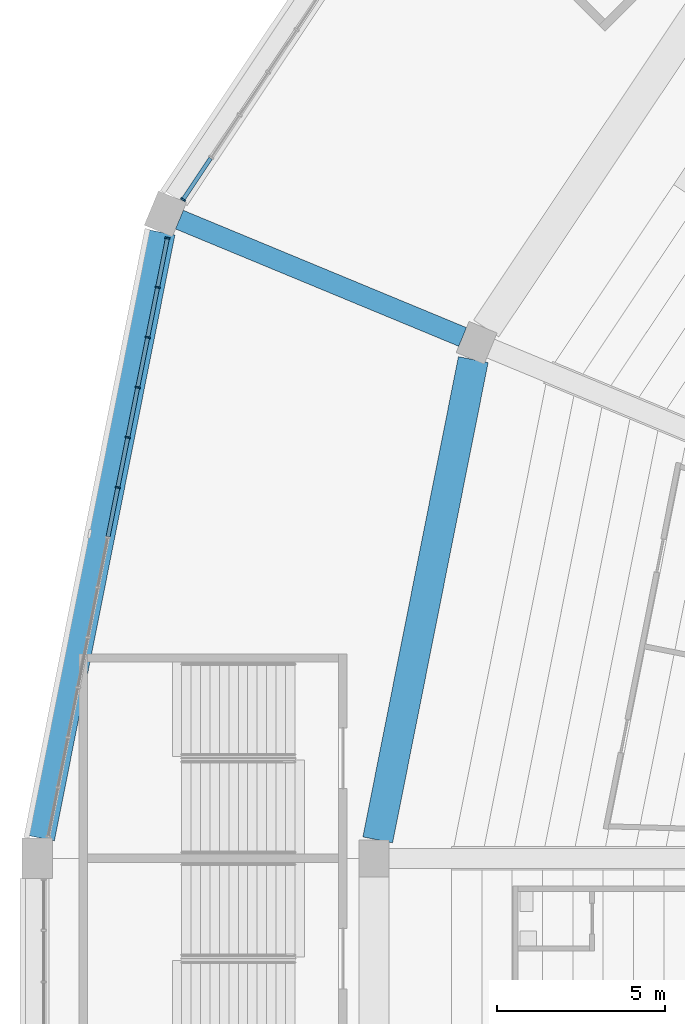
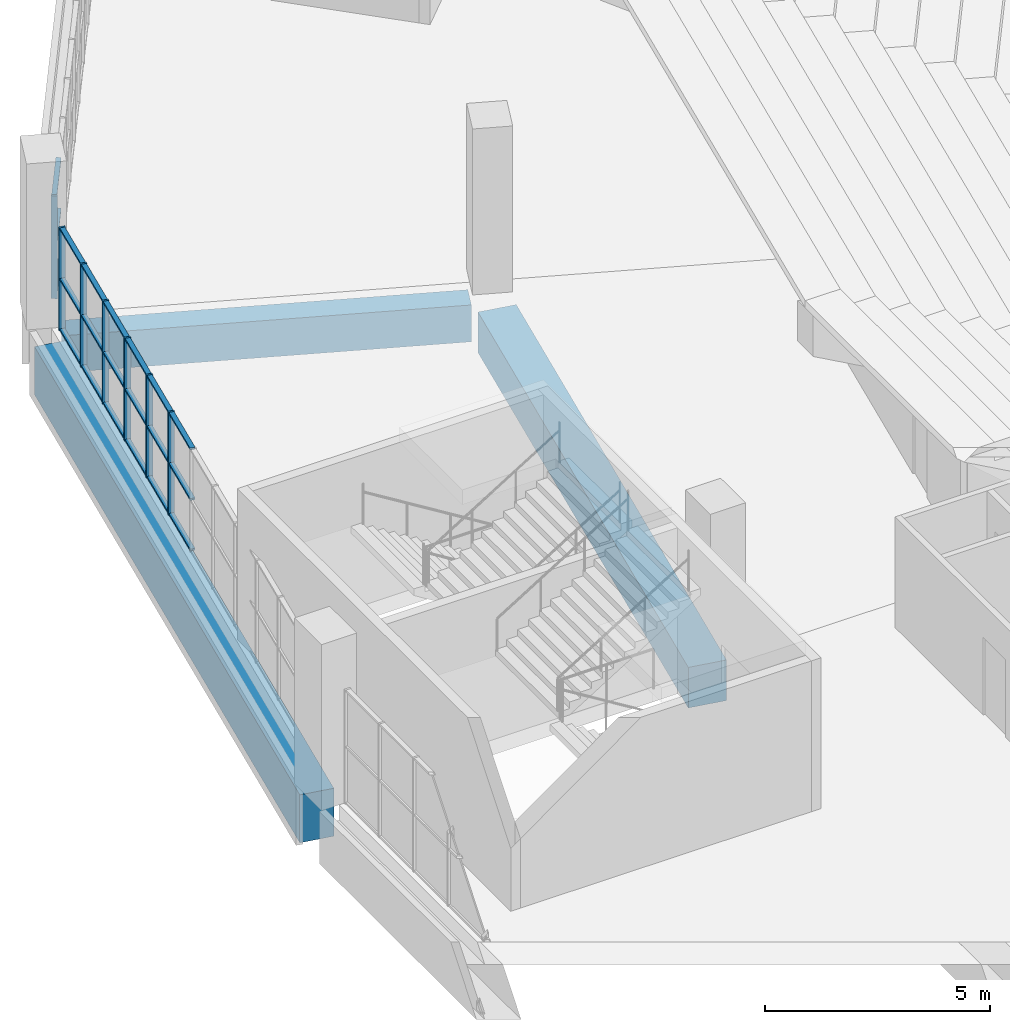
# One storey, part 43 of 249: 28 members, 3 beams, 2 elements without a shape of their own.
"""IFC4 building model written with IfcOpenShell, lengths in metres."""

from ifc_helpers import new_model, si_unit, direction, frame, origin, origin_2d, place, context, subcontext, project, spatial, rectangle, extrude, material, material_profile, profile_set, type_object, element, aggregate, save


model = new_model("IFC4")

# Units and contexts
model_context = context("Model", 3, precision=1e-05, world=origin(), true_north=direction((0.0, 1.0)))
body_context = subcontext(model_context, "Body", "Model", "MODEL_VIEW")
ifc_project = project(units=[si_unit("LENGTHUNIT", "METRE"), si_unit("AREAUNIT", "SQUARE_METRE"), si_unit("VOLUMEUNIT", "CUBIC_METRE"), si_unit("PLANEANGLEUNIT", "RADIAN"), si_unit("MASSUNIT", "GRAM", prefix="KILO")], contexts=[model_context])

# Site, building, storey
site_placement = place(None, origin())
site = spatial("IfcSite", under=ifc_project, at=site_placement, CompositionType="ELEMENT")
building_placement = place(site_placement, origin())
building = spatial("IfcBuilding", under=site, at=building_placement, Name="Ogive Plaza Stadium", CompositionType="ELEMENT")
storey_placement = place(building_placement, frame((0.0, 0.0, 13.5)))
storey = spatial("IfcBuildingStorey", under=building, at=storey_placement, Name="L03", CompositionType="ELEMENT", Elevation=13.5)

# Curtain wall, members
ifc_material_1 = material(Name="Bronze-anodised aluminium with laminated glass", Category="aluminium")
curtain_wall_type = type_object("IfcCurtainWallType", Name="Lancet curtain wall", PredefinedType="NOTDEFINED", material=ifc_material_1)
curtain_wall_1_placement = place(storey_placement, origin())
curtain_wall_1 = element("IfcCurtainWall", 1, at=curtain_wall_1_placement, inside=storey, type_object=curtain_wall_type, Name="CURTAIN WALL B28 L03", PredefinedType="NOTDEFINED")
ifc_material_2 = material(Name="Bronze-anodised aluminium", Category="aluminium")
ifc_material_profile_1 = material_profile(ifc_material_2, rectangle(XDim=0.14990234375, YDim=0.050048828125, at=origin_2d()), Name="AL 150x50")
ifc_profile_set_1 = profile_set([ifc_material_profile_1], Name="Bronze-anodised aluminium")
member_type_1 = type_object("IfcMemberType", Name="Curtain wall mullion 50x150", PredefinedType="MULLION", material=ifc_profile_set_1)
member_1_placement = place(storey_placement, frame((-81.60546875, 63.512939453125, 0.0), z_axis=(0.0, 0.0, 1.0), x_axis=(-0.980785280403, 0.195090322016, 0.0)))
member_1 = element("IfcMember", 2, at=member_1_placement, type_object=member_type_1, Name="CW-B28-L03 mullion 8", PredefinedType="MULLION", context=body_context, shape_type="SweptSolid", body=[
    extrude(rectangle(XDim=0.14990234375, YDim=0.050048828125, at=origin_2d()), origin(), (0.0, 0.0, 1.0), 2.7900390625),
])
member_2_placement = place(storey_placement, frame((-81.31005859375, 64.99755859375, 0.0), z_axis=(0.0, 0.0, 1.0), x_axis=(-0.980785280403, 0.195090322016, 0.0)))
member_2 = element("IfcMember", 3, at=member_2_placement, type_object=member_type_1, Name="CW-B28-L03 mullion 9", PredefinedType="MULLION", context=body_context, shape_type="SweptSolid", body=[
    extrude(rectangle(XDim=0.14990234375, YDim=0.050048828125, at=origin_2d()), origin(), (0.0, 0.0, 1.0), 2.7900390625),
])
member_3_placement = place(storey_placement, frame((-81.014892578125, 66.482421875, 0.0), z_axis=(0.0, 0.0, 1.0), x_axis=(-0.980785280403, 0.195090322016, 0.0)))
member_3 = element("IfcMember", 4, at=member_3_placement, type_object=member_type_1, Name="CW-B28-L03 mullion 10", PredefinedType="MULLION", context=body_context, shape_type="SweptSolid", body=[
    extrude(rectangle(XDim=0.14990234375, YDim=0.050048828125, at=origin_2d()), origin(), (0.0, 0.0, 1.0), 2.7900390625),
])
member_4_placement = place(storey_placement, frame((-80.719482421875, 67.967041015625, 0.0), z_axis=(0.0, 0.0, 1.0), x_axis=(-0.980785280403, 0.195090322016, 0.0)))
member_4 = element("IfcMember", 5, at=member_4_placement, type_object=member_type_1, Name="CW-B28-L03 mullion 11", PredefinedType="MULLION", context=body_context, shape_type="SweptSolid", body=[
    extrude(rectangle(XDim=0.14990234375, YDim=0.050048828125, at=origin_2d()), origin(), (0.0, 0.0, 1.0), 2.7900390625),
])
member_5_placement = place(storey_placement, frame((-80.424072265625, 69.451904296875, 0.0), z_axis=(0.0, 0.0, 1.0), x_axis=(-0.980785280403, 0.195090322016, 0.0)))
member_5 = element("IfcMember", 6, at=member_5_placement, type_object=member_type_1, Name="CW-B28-L03 mullion 12", PredefinedType="MULLION", context=body_context, shape_type="SweptSolid", body=[
    extrude(rectangle(XDim=0.14990234375, YDim=0.050048828125, at=origin_2d()), origin(), (0.0, 0.0, 1.0), 2.7900390625),
])
member_6_placement = place(storey_placement, frame((-80.1337890625, 70.912109375, 0.0), z_axis=(0.0, 0.0, 1.0), x_axis=(-0.980785280403, 0.195090322016, 0.0)))
member_6 = element("IfcMember", 7, at=member_6_placement, type_object=member_type_1, Name="CW-B28-L03 mullion 13", PredefinedType="MULLION", context=body_context, shape_type="SweptSolid", body=[
    extrude(rectangle(XDim=0.14990234375, YDim=0.050048828125, at=origin_2d()), origin(), (0.0, 0.0, 1.0), 2.7900390625),
])

# Curtain wall, member
curtain_wall_2_placement = place(storey_placement, origin())
curtain_wall_2 = element("IfcCurtainWall", 8, at=curtain_wall_2_placement, inside=storey, type_object=curtain_wall_type, Name="CURTAIN WALL B29 L03", PredefinedType="NOTDEFINED")
member_7_placement = place(storey_placement, frame((-79.669189453125, 72.059814453125, 0.0), z_axis=(0.0, 0.0, 1.0), x_axis=(-0.831469612303, 0.55557023302, 0.0)))
member_7 = element("IfcMember", 9, at=member_7_placement, type_object=member_type_1, Name="CW-B29-L03 mullion 1", PredefinedType="MULLION", context=body_context, shape_type="SweptSolid", body=[
    extrude(rectangle(XDim=0.14990234375, YDim=0.050048828125, at=origin_2d()), origin(), (0.0, 0.0, 1.0), 2.7900390625),
])

# Member
ifc_material_3 = material(Name="Bronze-anodised aluminium", Category="aluminium")
ifc_material_profile_2 = material_profile(ifc_material_3, rectangle(XDim=0.1201171875, YDim=0.050048828125, at=origin_2d()), Name="AL 120x50")
ifc_profile_set_2 = profile_set([ifc_material_profile_2], Name="Bronze-anodised aluminium")
member_type_2 = type_object("IfcMemberType", Name="Curtain wall transom 50x120", PredefinedType="USERDEFINED", material=ifc_profile_set_2)
member_8_placement = place(storey_placement, frame((-81.89599609375, 62.052490234375, 0.02490234375), z_axis=(0.195121823859, 0.980779013771, 0.0), x_axis=(-0.980779013771, 0.195121823859, 0.0)))
member_8 = element("IfcMember", 10, at=member_8_placement, type_object=member_type_2, Name="CW-B28-L03 transom 7.1", ObjectType="TRANSOM", PredefinedType="USERDEFINED", context=body_context, shape_type="SweptSolid", body=[
    extrude(rectangle(XDim=0.1201171875, YDim=0.050048828125, at=origin_2d()), origin(), (0.0, 0.0, 1.0), 1.4638671875),
])

member_9_placement = place(storey_placement, frame((-81.89599609375, 62.052490234375, 1.39501953125), z_axis=(0.195121823859, 0.980779013771, 0.0), x_axis=(-0.980779013771, 0.195121823859, 0.0)))
member_9 = element("IfcMember", 11, at=member_9_placement, type_object=member_type_2, Name="CW-B28-L03 transom 7.2", ObjectType="TRANSOM", PredefinedType="USERDEFINED", context=body_context, shape_type="SweptSolid", body=[
    extrude(rectangle(XDim=0.1201171875, YDim=0.050048828125, at=origin_2d()), origin(), (0.0, 0.0, 1.0), 1.4638671875),
])

member_10_placement = place(storey_placement, frame((-81.89599609375, 62.052490234375, 2.764892578125), z_axis=(0.195121823859, 0.980779013771, 0.0), x_axis=(-0.980779013771, 0.195121823859, 0.0)))
member_10 = element("IfcMember", 12, at=member_10_placement, type_object=member_type_2, Name="CW-B28-L03 transom 7.3", ObjectType="TRANSOM", PredefinedType="USERDEFINED", context=body_context, shape_type="SweptSolid", body=[
    extrude(rectangle(XDim=0.1201171875, YDim=0.050048828125, at=origin_2d()), origin(), (0.0, 0.0, 1.0), 1.4638671875),
])

member_11_placement = place(storey_placement, frame((-81.6005859375, 63.537353515625, 0.02490234375), z_axis=(0.195121823859, 0.980779013771, 0.0), x_axis=(-0.980779013771, 0.195121823859, 0.0)))
member_11 = element("IfcMember", 13, at=member_11_placement, type_object=member_type_2, Name="CW-B28-L03 transom 8.1", ObjectType="TRANSOM", PredefinedType="USERDEFINED", context=body_context, shape_type="SweptSolid", body=[
    extrude(rectangle(XDim=0.1201171875, YDim=0.050048828125, at=origin_2d()), origin(), (0.0, 0.0, 1.0), 1.4638671875),
])

member_12_placement = place(storey_placement, frame((-81.6005859375, 63.537353515625, 1.39501953125), z_axis=(0.195121823859, 0.980779013771, 0.0), x_axis=(-0.980779013771, 0.195121823859, 0.0)))
member_12 = element("IfcMember", 14, at=member_12_placement, type_object=member_type_2, Name="CW-B28-L03 transom 8.2", ObjectType="TRANSOM", PredefinedType="USERDEFINED", context=body_context, shape_type="SweptSolid", body=[
    extrude(rectangle(XDim=0.1201171875, YDim=0.050048828125, at=origin_2d()), origin(), (0.0, 0.0, 1.0), 1.4638671875),
])

member_13_placement = place(storey_placement, frame((-81.6005859375, 63.537353515625, 2.764892578125), z_axis=(0.195121823859, 0.980779013771, 0.0), x_axis=(-0.980779013771, 0.195121823859, 0.0)))
member_13 = element("IfcMember", 15, at=member_13_placement, type_object=member_type_2, Name="CW-B28-L03 transom 8.3", ObjectType="TRANSOM", PredefinedType="USERDEFINED", context=body_context, shape_type="SweptSolid", body=[
    extrude(rectangle(XDim=0.1201171875, YDim=0.050048828125, at=origin_2d()), origin(), (0.0, 0.0, 1.0), 1.4638671875),
])

member_14_placement = place(storey_placement, frame((-81.30517578125, 65.022216796875, 0.02490234375), z_axis=(0.194993290732, 0.980804576136, 0.0), x_axis=(-0.980804576136, 0.194993290732, 0.0)))
member_14 = element("IfcMember", 16, at=member_14_placement, type_object=member_type_2, Name="CW-B28-L03 transom 9.1", ObjectType="TRANSOM", PredefinedType="USERDEFINED", context=body_context, shape_type="SweptSolid", body=[
    extrude(rectangle(XDim=0.1201171875, YDim=0.050048828125, at=origin_2d()), origin(), (0.0, 0.0, 1.0), 1.463623046875),
])

member_15_placement = place(storey_placement, frame((-81.30517578125, 65.022216796875, 1.39501953125), z_axis=(0.194993290732, 0.980804576136, 0.0), x_axis=(-0.980804576136, 0.194993290732, 0.0)))
member_15 = element("IfcMember", 17, at=member_15_placement, type_object=member_type_2, Name="CW-B28-L03 transom 9.2", ObjectType="TRANSOM", PredefinedType="USERDEFINED", context=body_context, shape_type="SweptSolid", body=[
    extrude(rectangle(XDim=0.1201171875, YDim=0.050048828125, at=origin_2d()), origin(), (0.0, 0.0, 1.0), 1.463623046875),
])

member_16_placement = place(storey_placement, frame((-81.30517578125, 65.022216796875, 2.764892578125), z_axis=(0.194993290732, 0.980804576136, 0.0), x_axis=(-0.980804576136, 0.194993290732, 0.0)))
member_16 = element("IfcMember", 18, at=member_16_placement, type_object=member_type_2, Name="CW-B28-L03 transom 9.3", ObjectType="TRANSOM", PredefinedType="USERDEFINED", context=body_context, shape_type="SweptSolid", body=[
    extrude(rectangle(XDim=0.1201171875, YDim=0.050048828125, at=origin_2d()), origin(), (0.0, 0.0, 1.0), 1.463623046875),
])

member_17_placement = place(storey_placement, frame((-81.010009765625, 66.5068359375, 0.02490234375), z_axis=(0.195121823859, 0.980779013771, 0.0), x_axis=(-0.980779013771, 0.195121823859, 0.0)))
member_17 = element("IfcMember", 19, at=member_17_placement, type_object=member_type_2, Name="CW-B28-L03 transom 10.1", ObjectType="TRANSOM", PredefinedType="USERDEFINED", context=body_context, shape_type="SweptSolid", body=[
    extrude(rectangle(XDim=0.1201171875, YDim=0.050048828125, at=origin_2d()), origin(), (0.0, 0.0, 1.0), 1.4638671875),
])

member_18_placement = place(storey_placement, frame((-81.010009765625, 66.5068359375, 1.39501953125), z_axis=(0.195121823859, 0.980779013771, 0.0), x_axis=(-0.980779013771, 0.195121823859, 0.0)))
member_18 = element("IfcMember", 20, at=member_18_placement, type_object=member_type_2, Name="CW-B28-L03 transom 10.2", ObjectType="TRANSOM", PredefinedType="USERDEFINED", context=body_context, shape_type="SweptSolid", body=[
    extrude(rectangle(XDim=0.1201171875, YDim=0.050048828125, at=origin_2d()), origin(), (0.0, 0.0, 1.0), 1.4638671875),
])

member_19_placement = place(storey_placement, frame((-81.010009765625, 66.5068359375, 2.764892578125), z_axis=(0.195121823859, 0.980779013771, 0.0), x_axis=(-0.980779013771, 0.195121823859, 0.0)))
member_19 = element("IfcMember", 21, at=member_19_placement, type_object=member_type_2, Name="CW-B28-L03 transom 10.3", ObjectType="TRANSOM", PredefinedType="USERDEFINED", context=body_context, shape_type="SweptSolid", body=[
    extrude(rectangle(XDim=0.1201171875, YDim=0.050048828125, at=origin_2d()), origin(), (0.0, 0.0, 1.0), 1.4638671875),
])

member_20_placement = place(storey_placement, frame((-80.714599609375, 67.99169921875, 0.02490234375), z_axis=(0.195153744134, 0.980772662828, 0.0), x_axis=(-0.980772662828, 0.195153744134, 0.0)))
member_20 = element("IfcMember", 22, at=member_20_placement, type_object=member_type_2, Name="CW-B28-L03 transom 11.1", ObjectType="TRANSOM", PredefinedType="USERDEFINED", context=body_context, shape_type="SweptSolid", body=[
    extrude(rectangle(XDim=0.1201171875, YDim=0.050048828125, at=origin_2d()), origin(), (0.0, 0.0, 1.0), 1.463623046875),
])

member_21_placement = place(storey_placement, frame((-80.714599609375, 67.99169921875, 1.39501953125), z_axis=(0.195153744134, 0.980772662828, 0.0), x_axis=(-0.980772662828, 0.195153744134, 0.0)))
member_21 = element("IfcMember", 23, at=member_21_placement, type_object=member_type_2, Name="CW-B28-L03 transom 11.2", ObjectType="TRANSOM", PredefinedType="USERDEFINED", context=body_context, shape_type="SweptSolid", body=[
    extrude(rectangle(XDim=0.1201171875, YDim=0.050048828125, at=origin_2d()), origin(), (0.0, 0.0, 1.0), 1.463623046875),
])

member_22_placement = place(storey_placement, frame((-80.714599609375, 67.99169921875, 2.764892578125), z_axis=(0.195153744134, 0.980772662828, 0.0), x_axis=(-0.980772662828, 0.195153744134, 0.0)))
member_22 = element("IfcMember", 24, at=member_22_placement, type_object=member_type_2, Name="CW-B28-L03 transom 11.3", ObjectType="TRANSOM", PredefinedType="USERDEFINED", context=body_context, shape_type="SweptSolid", body=[
    extrude(rectangle(XDim=0.1201171875, YDim=0.050048828125, at=origin_2d()), origin(), (0.0, 0.0, 1.0), 1.463623046875),
])

member_23_placement = place(storey_placement, frame((-80.419189453125, 69.476318359375, 0.02490234375), z_axis=(0.194941412722, 0.980814888552, 0.0), x_axis=(-0.980814888552, 0.194941412722, 0.0)))
member_23 = element("IfcMember", 25, at=member_23_placement, type_object=member_type_2, Name="CW-B28-L03 transom 12.1", ObjectType="TRANSOM", PredefinedType="USERDEFINED", context=body_context, shape_type="SweptSolid", body=[
    extrude(rectangle(XDim=0.1201171875, YDim=0.050048828125, at=origin_2d()), origin(), (0.0, 0.0, 1.0), 1.43896484375),
])

member_24_placement = place(storey_placement, frame((-80.419189453125, 69.476318359375, 1.39501953125), z_axis=(0.194941412722, 0.980814888552, 0.0), x_axis=(-0.980814888552, 0.194941412722, 0.0)))
member_24 = element("IfcMember", 26, at=member_24_placement, type_object=member_type_2, Name="CW-B28-L03 transom 12.2", ObjectType="TRANSOM", PredefinedType="USERDEFINED", context=body_context, shape_type="SweptSolid", body=[
    extrude(rectangle(XDim=0.1201171875, YDim=0.050048828125, at=origin_2d()), origin(), (0.0, 0.0, 1.0), 1.43896484375),
])

member_25_placement = place(storey_placement, frame((-80.419189453125, 69.476318359375, 2.764892578125), z_axis=(0.194941412722, 0.980814888552, 0.0), x_axis=(-0.980814888552, 0.194941412722, 0.0)))
member_25 = element("IfcMember", 27, at=member_25_placement, type_object=member_type_2, Name="CW-B28-L03 transom 12.3", ObjectType="TRANSOM", PredefinedType="USERDEFINED", context=body_context, shape_type="SweptSolid", body=[
    extrude(rectangle(XDim=0.1201171875, YDim=0.050048828125, at=origin_2d()), origin(), (0.0, 0.0, 1.0), 1.43896484375),
])

aggregate(curtain_wall_1, [member_1, member_2, member_3, member_4, member_5, member_6, member_8, member_9, member_10, member_11, member_12, member_13, member_14, member_15, member_16, member_17, member_18, member_19, member_20, member_21, member_22, member_23, member_24, member_25])

member_26_placement = place(storey_placement, frame((-79.6552734375, 72.08056640625, 0.02490234375), z_axis=(0.555634077892, 0.831426948977, 0.0), x_axis=(-0.831426948977, 0.555634077892, 0.0)))
member_26 = element("IfcMember", 28, at=member_26_placement, type_object=member_type_2, Name="CW-B29-L03 transom 1.1", ObjectType="TRANSOM", PredefinedType="USERDEFINED", context=body_context, shape_type="SweptSolid", body=[
    extrude(rectangle(XDim=0.1201171875, YDim=0.050048828125, at=origin_2d()), origin(), (0.0, 0.0, 1.0), 1.447265625),
])

member_27_placement = place(storey_placement, frame((-79.6552734375, 72.08056640625, 1.39501953125), z_axis=(0.555634077892, 0.831426948977, 0.0), x_axis=(-0.831426948977, 0.555634077892, 0.0)))
member_27 = element("IfcMember", 29, at=member_27_placement, type_object=member_type_2, Name="CW-B29-L03 transom 1.2", ObjectType="TRANSOM", PredefinedType="USERDEFINED", context=body_context, shape_type="SweptSolid", body=[
    extrude(rectangle(XDim=0.1201171875, YDim=0.050048828125, at=origin_2d()), origin(), (0.0, 0.0, 1.0), 1.447265625),
])

member_28_placement = place(storey_placement, frame((-79.6552734375, 72.08056640625, 2.764892578125), z_axis=(0.555634077892, 0.831426948977, 0.0), x_axis=(-0.831426948977, 0.555634077892, 0.0)))
member_28 = element("IfcMember", 30, at=member_28_placement, type_object=member_type_2, Name="CW-B29-L03 transom 1.3", ObjectType="TRANSOM", PredefinedType="USERDEFINED", context=body_context, shape_type="SweptSolid", body=[
    extrude(rectangle(XDim=0.1201171875, YDim=0.050048828125, at=origin_2d()), origin(), (0.0, 0.0, 1.0), 1.447265625),
])

aggregate(curtain_wall_2, [member_7, member_26, member_27, member_28])

# Beams
ifc_material_4 = material(Name="Concrete C40/50", Category="concrete")
ifc_material_profile_3 = material_profile(ifc_material_4, rectangle(XDim=0.60009765625, YDim=1.0, at=origin_2d()), Name="RC 600x1000")
ifc_profile_set_3 = profile_set([ifc_material_profile_3], Name="Concrete C40/50")
beam_type_1 = type_object("IfcBeamType", Name="RC radial beam 600x1000", PredefinedType="BEAM", material=ifc_profile_set_3)
beam_1_placement = place(storey_placement, frame((-71.370849609375, 67.9794921875, -0.909912109375), z_axis=(-0.923882116707, 0.382677193504, 0.0), x_axis=(-0.382677193504, -0.923882116707, 0.0)))
element("IfcBeam", 31, at=beam_1_placement, inside=storey, type_object=beam_type_1, Name="Radial beam L03 R29 F4F5", PredefinedType="BEAM", context=body_context, shape_type="SweptSolid", body=[
    extrude(rectangle(XDim=0.60009765625, YDim=1.0, at=origin_2d()), origin(), (0.0, 0.0, 1.0), 9.10009765625),
])
ifc_material_5 = material(Name="Concrete C40/50", Category="concrete")
ifc_material_profile_4 = material_profile(ifc_material_5, rectangle(XDim=0.89990234375, YDim=1.10009765625, at=origin_2d()), Name="RC 900x1100")
ifc_profile_set_4 = profile_set([ifc_material_profile_4], Name="Concrete C40/50")
beam_type_2 = type_object("IfcBeamType", Name="RC ring beam 900x1100", PredefinedType="BEAM", material=ifc_profile_set_4)
beam_2_placement = place(storey_placement, frame((-73.890625, 53.050048828125, -0.9599609375), z_axis=(0.195088957992, 0.980785551724, 0.0), x_axis=(-0.980785551724, 0.195088957992, 0.0)))
element("IfcBeam", 32, at=beam_2_placement, inside=storey, type_object=beam_type_2, Name="Ring beam F4 L03 B28", PredefinedType="BEAM", context=body_context, shape_type="SweptSolid", body=[
    extrude(rectangle(XDim=0.89990234375, YDim=1.10009765625, at=origin_2d()), origin(), (0.0, 0.0, 1.0), 14.53662109375),
])
ifc_material_6 = material(Name="Concrete C40/50", Category="concrete")
ifc_material_profile_5 = material_profile(ifc_material_6, rectangle(XDim=0.800048828125, YDim=1.300048828125, at=origin_2d()), Name="RC 800x1300")
ifc_profile_set_5 = profile_set([ifc_material_profile_5], Name="Concrete C40/50")
beam_type_3 = type_object("IfcBeamType", Name="RC spandrel beam 800x1300", PredefinedType="SPANDREL", material=ifc_profile_set_5)
beam_3_placement = place(storey_placement, frame((-83.880615234375, 53.10009765625, -1.06005859375), z_axis=(0.195084152283, 0.980786507619, 0.0), x_axis=(-0.980786507619, 0.195084152283, 0.0)))
element("IfcBeam", 33, at=beam_3_placement, inside=storey, type_object=beam_type_3, Name="Ring beam F5 L03 B28", PredefinedType="SPANDREL", context=body_context, shape_type="SweptSolid", body=[
    extrude(rectangle(XDim=0.800048828125, YDim=1.300048828125, at=origin_2d()), origin(), (0.0, 0.0, 1.0), 18.33642578125),
])

save(model, "model.ifc")
